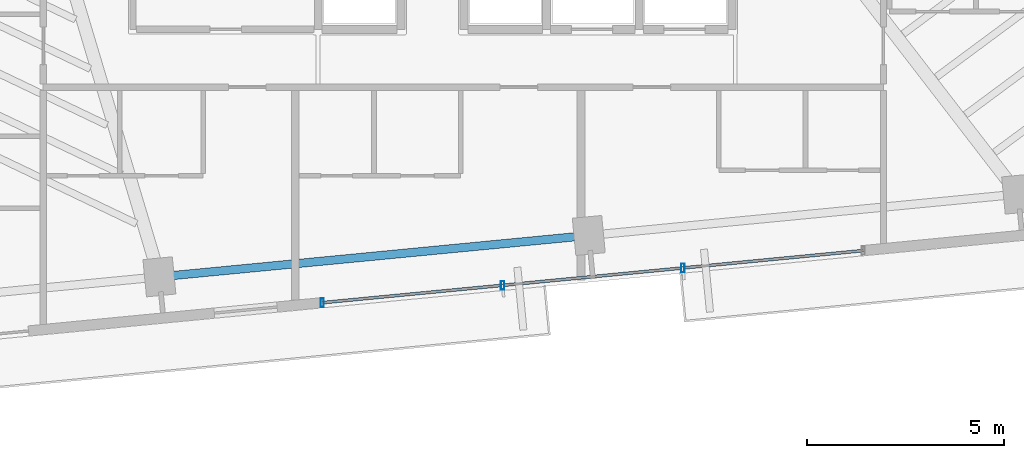
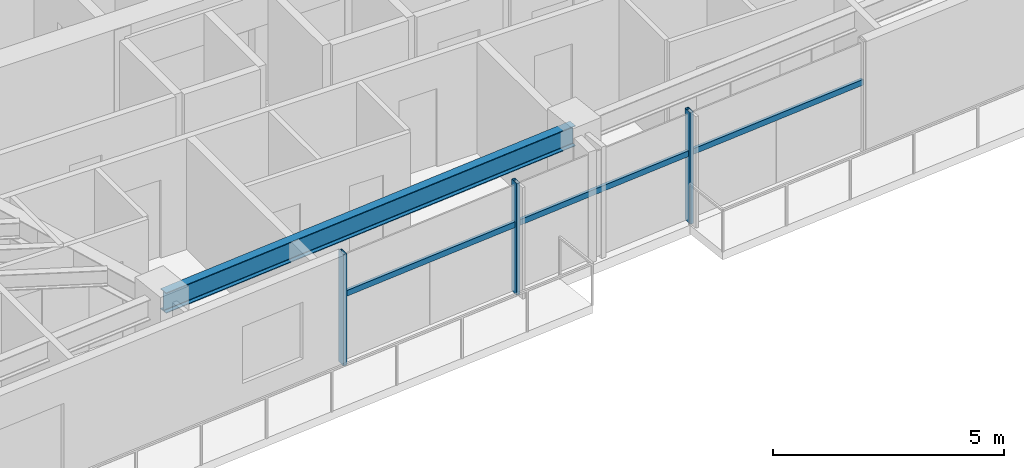
# One storey, part 4 of 18: 6 members, 1 beam, 1 element without a shape of its own.
"""IFC4 building model written with IfcOpenShell, lengths in metres."""

from ifc_helpers import new_model, si_unit, direction, frame, origin, origin_2d, place, context, subcontext, project, spatial, hollow_rectangle, i_section, extrude, source, transform, mapped, material, material_profile, profile_set, type_object, type_shapes, element, aggregate, save


model = new_model("IFC4")

# Units and contexts
model_context = context("Model", 3, precision=1e-05, world=origin(), true_north=direction((0.0, 1.0)))
body_context = subcontext(model_context, "Body", "Model", "MODEL_VIEW")
ifc_project = project(units=[si_unit("LENGTHUNIT", "METRE"), si_unit("AREAUNIT", "SQUARE_METRE"), si_unit("VOLUMEUNIT", "CUBIC_METRE"), si_unit("PLANEANGLEUNIT", "RADIAN"), si_unit("MASSUNIT", "GRAM", prefix="KILO")], contexts=[model_context])

# Site, building, storey
site_placement = place(None, origin())
site = spatial("IfcSite", under=ifc_project, at=site_placement, CompositionType="ELEMENT")
building_placement = place(site_placement, origin())
building = spatial("IfcBuilding", under=site, at=building_placement, Name="Astriad Promenade Condominiums", CompositionType="ELEMENT")
storey_placement = place(building_placement, frame((0.0, 0.0, 185.800048828125)))
storey = spatial("IfcBuildingStorey", under=building, at=storey_placement, Name="L53", CompositionType="ELEMENT", Elevation=185.800048828125)

# Beam
ifc_material_1 = material(Name="Steel ASTM A992 Grade 50", Category="steel")
ifc_material_profile_1 = material_profile(ifc_material_1, i_section(OverallWidth=0.210693359375, OverallDepth=0.53955078125, WebThickness=0.01171875, FlangeThickness=0.018798828125, FilletRadius=0.0166015625, at=origin_2d()), Name="W21X73")
ifc_profile_set_1 = profile_set([ifc_material_profile_1], Name="Steel ASTM A992 Grade 50")
beam_type = type_object("IfcBeamType", Name="STEEL SPANDREL BEAM W21X73", PredefinedType="SPANDREL", material=ifc_profile_set_1)
shared_shape_1 = source(origin(), body_context, "Body", "SweptSolid", [
    extrude(i_section(OverallWidth=0.210693359375, OverallDepth=0.53955078125, WebThickness=0.01171875, FlangeThickness=0.018798828125, FilletRadius=0.0166015625, at=origin_2d()), origin(), (0.0, 0.0, 1.0), 10.8701171875),
])
type_shapes(beam_type, [shared_shape_1])
beam_placement = place(storey_placement, frame((29.10888671875, 8.47119140625, 2.670166015625), z_axis=(0.995394986184, 0.09585834069, 0.0), x_axis=(-0.09585834069, 0.995394986184, 0.0)))
element("IfcBeam", 1, at=beam_placement, inside=storey, type_object=beam_type, Name="Perimeter Spandrel Beam SP-S2-L53", PredefinedType="SPANDREL", context=body_context, shape_type="MappedRepresentation", body=[
    mapped(shared_shape_1, transform((0.0, 0.0, 0.0), scale=1.0)),
])

# Curtain wall, members
ifc_material_2 = material(Name="Anodised aluminium Black Dark Glass Unitised", Category="aluminium")
curtain_wall_type = type_object("IfcCurtainWallType", Name="CW-B34-DARK", PredefinedType="USERDEFINED", material=ifc_material_2)
curtain_wall_placement = place(storey_placement, origin())
curtain_wall = element("IfcCurtainWall", 2, at=curtain_wall_placement, inside=storey, type_object=curtain_wall_type, Name="CW-L53-S", ObjectType="UNITISED_CURTAIN_WALL", PredefinedType="USERDEFINED")
ifc_material_3 = material(Name="Anodised aluminium 6063-T6 Black", Category="aluminium")
ifc_material_profile_2 = material_profile(ifc_material_3, hollow_rectangle(XDim=0.0849609375, YDim=0.219970703125, WallThickness=0.0048828125, at=origin_2d()), Name="ALU-MUL-85X220")
ifc_profile_set_2 = profile_set([ifc_material_profile_2], Name="Anodised aluminium 6063-T6 Black")
member_type_1 = type_object("IfcMemberType", Name="MUL-ALU-MUL-85X220", PredefinedType="MULLION", material=ifc_profile_set_2)
shared_shape_2 = source(origin(), body_context, "Body", "SweptSolid", [
    extrude(hollow_rectangle(XDim=0.0849609375, YDim=0.219970703125, WallThickness=0.0048828125, at=origin_2d()), origin(), (0.0, 0.0, 1.0), 2.93994140625),
])
type_shapes(member_type_1, [shared_shape_2])
member_1_placement = place(storey_placement, frame((42.358642578125, 8.692138671875, 0.0), z_axis=(0.0, 0.0, 1.0), x_axis=(1.0, 0.0, 0.0)))
member_1 = element("IfcMember", 3, at=member_1_placement, type_object=member_type_1, Name="CW-L53-S-MUL-01", PredefinedType="MULLION", context=body_context, shape_type="MappedRepresentation", body=[
    mapped(shared_shape_2, transform((0.0, 0.0, 0.0), scale=1.0)),
])
member_2_placement = place(storey_placement, frame((37.77978515625, 8.251220703125, 0.0), z_axis=(0.0, 0.0, 1.0), x_axis=(1.0, 0.0, 0.0)))
member_2 = element("IfcMember", 4, at=member_2_placement, type_object=member_type_1, Name="CW-L53-S-MUL-02", PredefinedType="MULLION", context=body_context, shape_type="MappedRepresentation", body=[
    mapped(shared_shape_2, transform((0.0, 0.0, 0.0), scale=1.0)),
])
member_3_placement = place(storey_placement, frame((33.201171875, 7.810302734375, 0.0), z_axis=(0.0, 0.0, 1.0), x_axis=(1.0, 0.0, 0.0)))
member_3 = element("IfcMember", 5, at=member_3_placement, type_object=member_type_1, Name="CW-L53-S-MUL-03", PredefinedType="MULLION", context=body_context, shape_type="MappedRepresentation", body=[
    mapped(shared_shape_2, transform((0.0, 0.0, 0.0), scale=1.0)),
])
ifc_material_profile_3 = material_profile(ifc_material_3, hollow_rectangle(XDim=0.074951171875, YDim=0.14990234375, WallThickness=0.004150390625, at=origin_2d()), Name="ALU-TRN-75X150")
ifc_profile_set_3 = profile_set([ifc_material_profile_3], Name="Anodised aluminium 6063-T6 Black")
member_type_2 = type_object("IfcMemberType", Name="TRN-ALU-TRN-75X150", PredefinedType="USERDEFINED", material=ifc_profile_set_3)
shared_shape_3 = source(origin(), body_context, "Body", "SweptSolid", [
    extrude(hollow_rectangle(XDim=0.074951171875, YDim=0.14990234375, WallThickness=0.004150390625, at=origin_2d()), origin(), (0.0, 0.0, 1.0), 4.60009765625),
])
member_4_placement = place(storey_placement, frame((46.9375, 9.133056640625, 1.82275390625), z_axis=(-0.995395697572, -0.095850953336, 0.0), x_axis=(0.095850953336, -0.995395697572, 0.0)))
member_4 = element("IfcMember", 6, at=member_4_placement, type_object=member_type_2, Name="CW-L53-S-TRN-00-0", ObjectType="TRANSOM", PredefinedType="USERDEFINED", context=body_context, shape_type="MappedRepresentation", body=[
    mapped(shared_shape_3, transform((0.0, 0.0, 0.0), scale=1.0)),
])
member_5_placement = place(storey_placement, frame((42.358642578125, 8.692138671875, 1.82275390625), z_axis=(-0.995395697572, -0.095850953336, 0.0), x_axis=(0.095850953336, -0.995395697572, 0.0)))
member_5 = element("IfcMember", 7, at=member_5_placement, type_object=member_type_2, Name="CW-L53-S-TRN-01-0", ObjectType="TRANSOM", PredefinedType="USERDEFINED", context=body_context, shape_type="MappedRepresentation", body=[
    mapped(shared_shape_3, transform((0.0, 0.0, 0.0), scale=1.0)),
])
shared_shape_4 = source(origin(), body_context, "Body", "SweptSolid", [
    extrude(hollow_rectangle(XDim=0.074951171875, YDim=0.14990234375, WallThickness=0.004150390625, at=origin_2d()), origin(), (0.0, 0.0, 1.0), 4.599853515625),
])
type_shapes(member_type_2, [shared_shape_3, shared_shape_4])
member_6_placement = place(storey_placement, frame((37.77978515625, 8.251220703125, 1.82275390625), z_axis=(-0.995395209924, -0.095856017336, 0.0), x_axis=(0.095856017336, -0.995395209924, 0.0)))
member_6 = element("IfcMember", 8, at=member_6_placement, type_object=member_type_2, Name="CW-L53-S-TRN-02-0", ObjectType="TRANSOM", PredefinedType="USERDEFINED", context=body_context, shape_type="MappedRepresentation", body=[
    mapped(shared_shape_4, transform((0.0, 0.0, 0.0), scale=1.0)),
])
aggregate(curtain_wall, [member_1, member_2, member_3, member_4, member_5, member_6])

save(model, "model.ifc")
